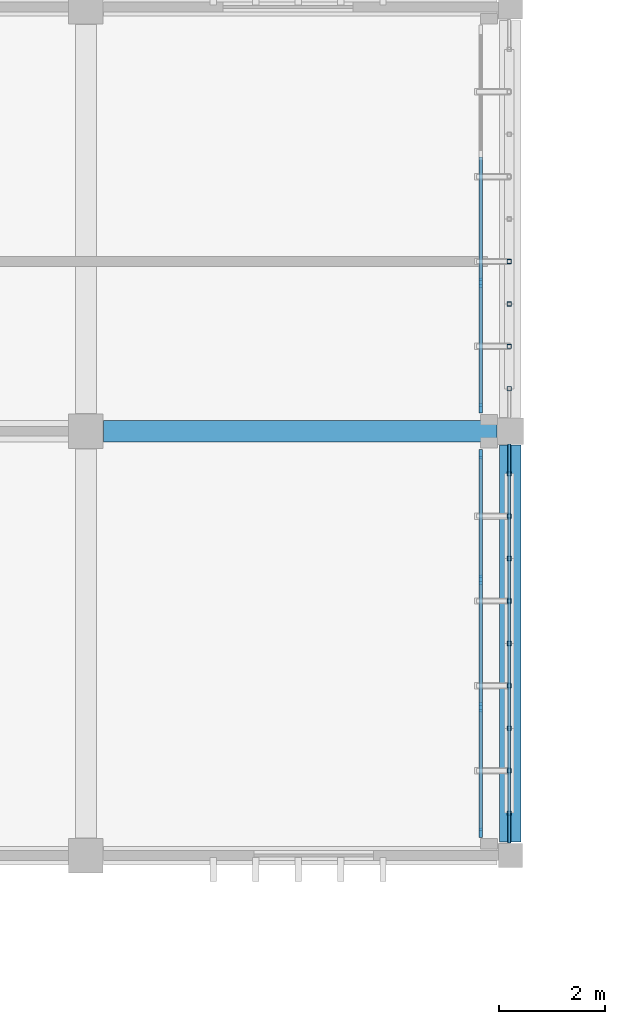
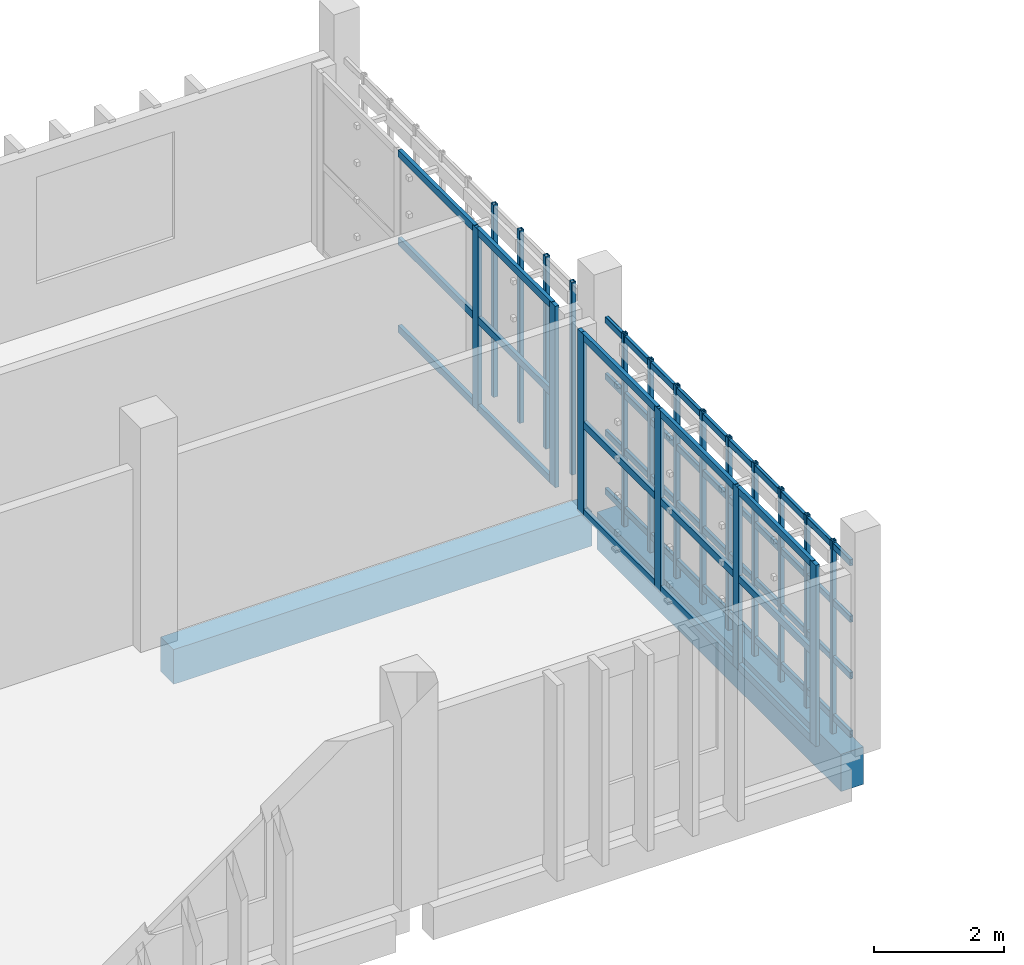
# One storey, part 36 of 63: 38 members, 2 beams, 2 elements without a shape of their own.
"""IFC4 building model written with IfcOpenShell, lengths in metres."""

from ifc_helpers import new_model, si_unit, direction, frame, origin, origin_2d, place, context, subcontext, project, spatial, rectangle, hollow_rectangle, extrude, material, layer, layer_set, material_profile, profile_set, type_object, element, aggregate, save


model = new_model("IFC4")

# Units and contexts
model_context = context("Model", 3, precision=1e-05, world=origin(), true_north=direction((0.0, 1.0)))
body_context = subcontext(model_context, "Body", "Model", "MODEL_VIEW")
ifc_project = project(units=[si_unit("LENGTHUNIT", "METRE"), si_unit("AREAUNIT", "SQUARE_METRE"), si_unit("VOLUMEUNIT", "CUBIC_METRE"), si_unit("PLANEANGLEUNIT", "RADIAN"), si_unit("MASSUNIT", "GRAM", prefix="KILO")], contexts=[model_context])

# Site, building, storey
site_placement = place(None, origin())
site = spatial("IfcSite", under=ifc_project, at=site_placement, CompositionType="ELEMENT")
building_placement = place(site_placement, origin())
building = spatial("IfcBuilding", under=site, at=building_placement, Name="Jelvoka-Kovrelna Polytechnic", CompositionType="ELEMENT")
storey_placement = place(building_placement, frame((0.0, 0.0, 18.0)))
storey = spatial("IfcBuildingStorey", under=building, at=storey_placement, Name="L05", CompositionType="ELEMENT", Elevation=18.0)

# Beams
ifc_material_1 = material(Name="Concrete C40/50", Category="concrete")
ifc_material_profile_1 = material_profile(ifc_material_1, rectangle(XDim=0.39990234375, YDim=0.64990234375, at=origin_2d()), Name="RC 400x650")
ifc_profile_set_1 = profile_set([ifc_material_profile_1], Name="Concrete C40/50")
beam_type_1 = type_object("IfcBeamType", Name="Beam_RC_400x650", PredefinedType="BEAM", material=ifc_profile_set_1)
beam_1_placement = place(storey_placement, frame((184.330078125, 64.0, -0.574951171875), z_axis=(1.0, 0.0, 0.0), x_axis=(0.0, 1.0, 0.0)))
element("IfcBeam", 1, at=beam_1_placement, inside=storey, type_object=beam_type_1, Name="L05 beam 1558", PredefinedType="BEAM", context=body_context, shape_type="SweptSolid", body=[
    extrude(rectangle(XDim=0.39990234375, YDim=0.64990234375, at=origin_2d()), origin(), (0.0, 0.0, 1.0), 7.4150390625),
])
ifc_material_2 = material(Name="Concrete C40/50", Category="concrete")
ifc_material_profile_2 = material_profile(ifc_material_2, rectangle(XDim=0.39990234375, YDim=0.699951171875, at=origin_2d()), Name="RC 400x700")
ifc_profile_set_2 = profile_set([ifc_material_profile_2], Name="Concrete C40/50")
beam_type_2 = type_object("IfcBeamType", Name="Beam_RC_400x700", PredefinedType="BEAM", material=ifc_profile_set_2)
beam_2_placement = place(storey_placement, frame((192.0, 56.2548828125, -0.60009765625), z_axis=(0.0, 1.0, 0.0), x_axis=(-1.0, 0.0, 0.0)))
element("IfcBeam", 2, at=beam_2_placement, inside=storey, type_object=beam_type_2, Name="L05 beam 1587", PredefinedType="BEAM", context=body_context, shape_type="SweptSolid", body=[
    extrude(rectangle(XDim=0.39990234375, YDim=0.699951171875, at=origin_2d()), origin(), (0.0, 0.0, 1.0), 7.490234375),
])

# Members
ifc_material_3 = material(Name="Structural steel S355J2H", Category="steel")
ifc_material_profile_3 = material_profile(ifc_material_3, hollow_rectangle(XDim=0.06005859375, YDim=0.1201171875, WallThickness=0.0048828125, InnerFilletRadius=0.0048828125, OuterFilletRadius=0.007568359375, at=origin_2d()), Name="120x60x5.0 RHS")
ifc_profile_set_3 = profile_set([ifc_material_profile_3], Name="Structural steel S355J2H")
member_type_1 = type_object("IfcMemberType", Name="Member_Strut_RHS120", PredefinedType="STRUT", material=ifc_profile_set_3)
for number, where, z_axis, x_axis, name in (
    (3, (191.97998046875, 56.239990234375, 0.080078125), (0.0, 1.0, 0.0), (-1.0, 0.0, 0.0), "L05 terracotta screen horizontal strut 0729"),
    (4, (191.97998046875, 56.239990234375, 1.17138671875), (0.0, 1.0, 0.0), (-1.0, 0.0, 0.0), "L05 terracotta screen horizontal strut 0730"),
    (5, (191.97998046875, 56.239990234375, 2.230712890625), (0.0, 1.0, 0.0), (-1.0, 0.0, 0.0), "L05 terracotta screen horizontal strut 0731"),
    (6, (191.97998046875, 56.239990234375, 3.2900390625), (0.0, 1.0, 0.0), (-1.0, 0.0, 0.0), "L05 terracotta screen horizontal strut 0732"),
):
    element("IfcMember", number, at=place(storey_placement, frame(where, z_axis=z_axis, x_axis=x_axis)), inside=storey, type_object=member_type_1, Name=name, PredefinedType="STRUT", context=body_context, shape_type="SweptSolid", body=[
        extrude(hollow_rectangle(XDim=0.06005859375, YDim=0.1201171875, WallThickness=0.0048828125, InnerFilletRadius=0.0048828125, OuterFilletRadius=0.007568359375, at=origin_2d()), origin(), (0.0, 0.0, 1.0), 7.52001953125),
    ])
ifc_material_4 = material(Name="Structural steel S355J2H", Category="steel")
ifc_material_profile_4 = material_profile(ifc_material_4, hollow_rectangle(XDim=0.080078125, YDim=0.080078125, WallThickness=0.0048828125, InnerFilletRadius=0.0048828125, OuterFilletRadius=0.007568359375, at=origin_2d()), Name="80x80x5.0 SHS")
ifc_profile_set_4 = profile_set([ifc_material_profile_4], Name="Structural steel S355J2H")
member_type_2 = type_object("IfcMemberType", Name="Member_Strut_SHS80", PredefinedType="STRUT", material=ifc_profile_set_4)
for number, where, z_axis, x_axis, name in (
    (7, (191.97998046875, 56.800048828125, -0.22998046875), (0.0, 0.0, 1.0), (1.0, 0.0, 0.0), "L05 terracotta lattice vertical rib 0733"),
    (8, (191.97998046875, 57.60009765625, -0.22998046875), (0.0, 0.0, 1.0), (1.0, 0.0, 0.0), "L05 terracotta lattice vertical rib 0734"),
    (9, (191.97998046875, 58.39990234375, -0.22998046875), (0.0, 0.0, 1.0), (1.0, 0.0, 0.0), "L05 terracotta lattice vertical rib 0735"),
    (10, (191.97998046875, 59.199951171875, -0.22998046875), (0.0, 0.0, 1.0), (1.0, 0.0, 0.0), "L05 terracotta lattice vertical rib 0736"),
    (11, (191.97998046875, 60.0, -0.22998046875), (0.0, 0.0, 1.0), (1.0, 0.0, 0.0), "L05 terracotta lattice vertical rib 0737"),
    (12, (191.97998046875, 60.800048828125, -0.22998046875), (0.0, 0.0, 1.0), (1.0, 0.0, 0.0), "L05 terracotta lattice vertical rib 0738"),
    (13, (191.97998046875, 61.60009765625, -0.22998046875), (0.0, 0.0, 1.0), (1.0, 0.0, 0.0), "L05 terracotta lattice vertical rib 0739"),
    (14, (191.97998046875, 62.39990234375, -0.22998046875), (0.0, 0.0, 1.0), (1.0, 0.0, 0.0), "L05 terracotta lattice vertical rib 0740"),
    (15, (191.97998046875, 63.199951171875, -0.22998046875), (0.0, 0.0, 1.0), (1.0, 0.0, 0.0), "L05 terracotta lattice vertical rib 0741"),
    (16, (191.97998046875, 64.800048828125, -0.22998046875), (0.0, 0.0, 1.0), (1.0, 0.0, 0.0), "L05 terracotta lattice vertical rib 0746"),
    (17, (191.97998046875, 65.60009765625, -0.22998046875), (0.0, 0.0, 1.0), (1.0, 0.0, 0.0), "L05 terracotta lattice vertical rib 0747"),
    (18, (191.97998046875, 66.39990234375, -0.22998046875), (0.0, 0.0, 1.0), (1.0, 0.0, 0.0), "L05 terracotta lattice vertical rib 0748"),
    (19, (191.97998046875, 67.199951171875, -0.22998046875), (0.0, 0.0, 1.0), (1.0, 0.0, 0.0), "L05 terracotta lattice vertical rib 0749"),
):
    element("IfcMember", number, at=place(storey_placement, frame(where, z_axis=z_axis, x_axis=x_axis)), inside=storey, type_object=member_type_2, Name=name, PredefinedType="STRUT", context=body_context, shape_type="SweptSolid", body=[
        extrude(hollow_rectangle(XDim=0.080078125, YDim=0.080078125, WallThickness=0.0048828125, InnerFilletRadius=0.0048828125, OuterFilletRadius=0.007568359375, at=origin_2d()), origin(), (0.0, 0.0, 1.0), 3.60986328125),
    ])

# Curtain wall, members
ifc_material_5 = material(Name="Anodised aluminium 6063-T6", Category="aluminium")
ifc_layer = layer(ifc_material_5, 0.179931640625)
ifc_layer_set = layer_set([ifc_layer], Name="Anodised aluminium 6063-T6")
curtain_wall_type = type_object("IfcCurtainWallType", Name="CW_Recessed_B", PredefinedType="NOTDEFINED", material=ifc_layer_set)
curtain_wall_1_placement = place(storey_placement, origin())
curtain_wall_1 = element("IfcCurtainWall", 20, at=curtain_wall_1_placement, inside=storey, type_object=curtain_wall_type, Name="L05 glazed curtain wall 089", PredefinedType="NOTDEFINED")
ifc_material_6 = material(Name="Anodised aluminium 6063-T6", Category="aluminium")
ifc_material_profile_5 = material_profile(ifc_material_6, rectangle(XDim=0.06494140625, YDim=0.179931640625, at=origin_2d()), Name="ALU 65x180")
ifc_profile_set_5 = profile_set([ifc_material_profile_5], Name="Anodised aluminium 6063-T6")
member_type_3 = type_object("IfcMemberType", Name="Mullion_M-02", PredefinedType="MULLION", material=ifc_profile_set_5)
member_1_placement = place(storey_placement, frame((191.43994140625, 63.5673828125, -0.02490234375), z_axis=(0.0, 0.0, 1.0), x_axis=(1.0, 0.0, 0.0)))
member_1 = element("IfcMember", 21, at=member_1_placement, type_object=member_type_3, Name="CW-02 mullion 1", PredefinedType="MULLION", context=body_context, shape_type="SweptSolid", body=[
    extrude(rectangle(XDim=0.06494140625, YDim=0.179931640625, at=origin_2d()), origin(), (0.0, 0.0, 1.0), 3.400146484375),
])
member_2_placement = place(storey_placement, frame((191.43994140625, 61.199951171875, -0.02490234375), z_axis=(0.0, 0.0, 1.0), x_axis=(1.0, 0.0, 0.0)))
member_2 = element("IfcMember", 22, at=member_2_placement, type_object=member_type_3, Name="CW-02 mullion 2", PredefinedType="MULLION", context=body_context, shape_type="SweptSolid", body=[
    extrude(rectangle(XDim=0.06494140625, YDim=0.179931640625, at=origin_2d()), origin(), (0.0, 0.0, 1.0), 3.400146484375),
])
member_3_placement = place(storey_placement, frame((191.43994140625, 58.800048828125, -0.02490234375), z_axis=(0.0, 0.0, 1.0), x_axis=(1.0, 0.0, 0.0)))
member_3 = element("IfcMember", 23, at=member_3_placement, type_object=member_type_3, Name="CW-02 mullion 3", PredefinedType="MULLION", context=body_context, shape_type="SweptSolid", body=[
    extrude(rectangle(XDim=0.06494140625, YDim=0.179931640625, at=origin_2d()), origin(), (0.0, 0.0, 1.0), 3.400146484375),
])
member_4_placement = place(storey_placement, frame((191.43994140625, 56.4326171875, -0.02490234375), z_axis=(0.0, 0.0, 1.0), x_axis=(1.0, 0.0, 0.0)))
member_4 = element("IfcMember", 24, at=member_4_placement, type_object=member_type_3, Name="CW-02 mullion 4", PredefinedType="MULLION", context=body_context, shape_type="SweptSolid", body=[
    extrude(rectangle(XDim=0.06494140625, YDim=0.179931640625, at=origin_2d()), origin(), (0.0, 0.0, 1.0), 3.400146484375),
])

curtain_wall_2_placement = place(storey_placement, origin())
curtain_wall_2 = element("IfcCurtainWall", 25, at=curtain_wall_2_placement, inside=storey, type_object=curtain_wall_type, Name="L05 glazed curtain wall 090", PredefinedType="NOTDEFINED")
member_5_placement = place(storey_placement, frame((191.43994140625, 66.800048828125, -0.02490234375), z_axis=(0.0, 0.0, 1.0), x_axis=(1.0, 0.0, 0.0)))
member_5 = element("IfcMember", 26, at=member_5_placement, type_object=member_type_3, Name="CW-02 mullion 3", PredefinedType="MULLION", context=body_context, shape_type="SweptSolid", body=[
    extrude(rectangle(XDim=0.06494140625, YDim=0.179931640625, at=origin_2d()), origin(), (0.0, 0.0, 1.0), 3.400146484375),
])
member_6_placement = place(storey_placement, frame((191.43994140625, 64.4326171875, -0.02490234375), z_axis=(0.0, 0.0, 1.0), x_axis=(1.0, 0.0, 0.0)))
member_6 = element("IfcMember", 27, at=member_6_placement, type_object=member_type_3, Name="CW-02 mullion 4", PredefinedType="MULLION", context=body_context, shape_type="SweptSolid", body=[
    extrude(rectangle(XDim=0.06494140625, YDim=0.179931640625, at=origin_2d()), origin(), (0.0, 0.0, 1.0), 3.400146484375),
])

# Member
ifc_material_7 = material(Name="Anodised aluminium 6063-T6", Category="aluminium")
ifc_material_profile_6 = material_profile(ifc_material_7, rectangle(XDim=0.06494140625, YDim=0.135009765625, at=origin_2d()), Name="ALU 65x135")
ifc_profile_set_6 = profile_set([ifc_material_profile_6], Name="Anodised aluminium 6063-T6")
member_type_4 = type_object("IfcMemberType", Name="Transom_T-02", PredefinedType="USERDEFINED", material=ifc_profile_set_6)
member_7_placement = place(storey_placement, frame((191.43994140625, 63.534912109375, 0.032470703125), z_axis=(0.0, -1.0, 0.0), x_axis=(1.0, 0.0, 0.0)))
member_7 = element("IfcMember", 28, at=member_7_placement, type_object=member_type_4, Name="CW-02 transom 1.1", ObjectType="TRANSOM", PredefinedType="USERDEFINED", context=body_context, shape_type="SweptSolid", body=[
    extrude(rectangle(XDim=0.06494140625, YDim=0.135009765625, at=origin_2d()), origin(), (0.0, 0.0, 1.0), 2.302490234375),
])

member_8_placement = place(storey_placement, frame((191.43994140625, 63.534912109375, 1.675048828125), z_axis=(0.0, -1.0, 0.0), x_axis=(1.0, 0.0, 0.0)))
member_8 = element("IfcMember", 29, at=member_8_placement, type_object=member_type_4, Name="CW-02 transom 1.2", ObjectType="TRANSOM", PredefinedType="USERDEFINED", context=body_context, shape_type="SweptSolid", body=[
    extrude(rectangle(XDim=0.06494140625, YDim=0.135009765625, at=origin_2d()), origin(), (0.0, 0.0, 1.0), 2.302490234375),
])

member_9_placement = place(storey_placement, frame((191.43994140625, 63.534912109375, 3.3173828125), z_axis=(0.0, -1.0, 0.0), x_axis=(1.0, 0.0, 0.0)))
member_9 = element("IfcMember", 30, at=member_9_placement, type_object=member_type_4, Name="CW-02 transom 1.3", ObjectType="TRANSOM", PredefinedType="USERDEFINED", context=body_context, shape_type="SweptSolid", body=[
    extrude(rectangle(XDim=0.06494140625, YDim=0.135009765625, at=origin_2d()), origin(), (0.0, 0.0, 1.0), 2.302490234375),
])

member_10_placement = place(storey_placement, frame((191.43994140625, 61.16748046875, 0.032470703125), z_axis=(0.0, -1.0, 0.0), x_axis=(1.0, 0.0, 0.0)))
member_10 = element("IfcMember", 31, at=member_10_placement, type_object=member_type_4, Name="CW-02 transom 2.1", ObjectType="TRANSOM", PredefinedType="USERDEFINED", context=body_context, shape_type="SweptSolid", body=[
    extrude(rectangle(XDim=0.06494140625, YDim=0.135009765625, at=origin_2d()), origin(), (0.0, 0.0, 1.0), 2.3349609375),
])

member_11_placement = place(storey_placement, frame((191.43994140625, 61.16748046875, 1.675048828125), z_axis=(0.0, -1.0, 0.0), x_axis=(1.0, 0.0, 0.0)))
member_11 = element("IfcMember", 32, at=member_11_placement, type_object=member_type_4, Name="CW-02 transom 2.2", ObjectType="TRANSOM", PredefinedType="USERDEFINED", context=body_context, shape_type="SweptSolid", body=[
    extrude(rectangle(XDim=0.06494140625, YDim=0.135009765625, at=origin_2d()), origin(), (0.0, 0.0, 1.0), 2.3349609375),
])

member_12_placement = place(storey_placement, frame((191.43994140625, 61.16748046875, 3.3173828125), z_axis=(0.0, -1.0, 0.0), x_axis=(1.0, 0.0, 0.0)))
member_12 = element("IfcMember", 33, at=member_12_placement, type_object=member_type_4, Name="CW-02 transom 2.3", ObjectType="TRANSOM", PredefinedType="USERDEFINED", context=body_context, shape_type="SweptSolid", body=[
    extrude(rectangle(XDim=0.06494140625, YDim=0.135009765625, at=origin_2d()), origin(), (0.0, 0.0, 1.0), 2.3349609375),
])

member_13_placement = place(storey_placement, frame((191.43994140625, 58.767578125, 0.032470703125), z_axis=(0.0, -1.0, 0.0), x_axis=(1.0, 0.0, 0.0)))
member_13 = element("IfcMember", 34, at=member_13_placement, type_object=member_type_4, Name="CW-02 transom 3.1", ObjectType="TRANSOM", PredefinedType="USERDEFINED", context=body_context, shape_type="SweptSolid", body=[
    extrude(rectangle(XDim=0.06494140625, YDim=0.135009765625, at=origin_2d()), origin(), (0.0, 0.0, 1.0), 2.302490234375),
])

member_14_placement = place(storey_placement, frame((191.43994140625, 58.767578125, 1.675048828125), z_axis=(0.0, -1.0, 0.0), x_axis=(1.0, 0.0, 0.0)))
member_14 = element("IfcMember", 35, at=member_14_placement, type_object=member_type_4, Name="CW-02 transom 3.2", ObjectType="TRANSOM", PredefinedType="USERDEFINED", context=body_context, shape_type="SweptSolid", body=[
    extrude(rectangle(XDim=0.06494140625, YDim=0.135009765625, at=origin_2d()), origin(), (0.0, 0.0, 1.0), 2.302490234375),
])

member_15_placement = place(storey_placement, frame((191.43994140625, 58.767578125, 3.3173828125), z_axis=(0.0, -1.0, 0.0), x_axis=(1.0, 0.0, 0.0)))
member_15 = element("IfcMember", 36, at=member_15_placement, type_object=member_type_4, Name="CW-02 transom 3.3", ObjectType="TRANSOM", PredefinedType="USERDEFINED", context=body_context, shape_type="SweptSolid", body=[
    extrude(rectangle(XDim=0.06494140625, YDim=0.135009765625, at=origin_2d()), origin(), (0.0, 0.0, 1.0), 2.302490234375),
])

aggregate(curtain_wall_1, [member_1, member_2, member_3, member_4, member_7, member_8, member_9, member_10, member_11, member_12, member_13, member_14, member_15])

member_16_placement = place(storey_placement, frame((191.43994140625, 69.16748046875, 0.032470703125), z_axis=(0.0, -1.0, 0.0), x_axis=(1.0, 0.0, 0.0)))
member_16 = element("IfcMember", 37, at=member_16_placement, type_object=member_type_4, Name="CW-02 transom 2.1", ObjectType="TRANSOM", PredefinedType="USERDEFINED", context=body_context, shape_type="SweptSolid", body=[
    extrude(rectangle(XDim=0.06494140625, YDim=0.135009765625, at=origin_2d()), origin(), (0.0, 0.0, 1.0), 2.3349609375),
])

member_17_placement = place(storey_placement, frame((191.43994140625, 69.16748046875, 1.675048828125), z_axis=(0.0, -1.0, 0.0), x_axis=(1.0, 0.0, 0.0)))
member_17 = element("IfcMember", 38, at=member_17_placement, type_object=member_type_4, Name="CW-02 transom 2.2", ObjectType="TRANSOM", PredefinedType="USERDEFINED", context=body_context, shape_type="SweptSolid", body=[
    extrude(rectangle(XDim=0.06494140625, YDim=0.135009765625, at=origin_2d()), origin(), (0.0, 0.0, 1.0), 2.3349609375),
])

member_18_placement = place(storey_placement, frame((191.43994140625, 69.16748046875, 3.3173828125), z_axis=(0.0, -1.0, 0.0), x_axis=(1.0, 0.0, 0.0)))
member_18 = element("IfcMember", 39, at=member_18_placement, type_object=member_type_4, Name="CW-02 transom 2.3", ObjectType="TRANSOM", PredefinedType="USERDEFINED", context=body_context, shape_type="SweptSolid", body=[
    extrude(rectangle(XDim=0.06494140625, YDim=0.135009765625, at=origin_2d()), origin(), (0.0, 0.0, 1.0), 2.3349609375),
])

member_19_placement = place(storey_placement, frame((191.43994140625, 66.767578125, 0.032470703125), z_axis=(0.0, -1.0, 0.0), x_axis=(1.0, 0.0, 0.0)))
member_19 = element("IfcMember", 40, at=member_19_placement, type_object=member_type_4, Name="CW-02 transom 3.1", ObjectType="TRANSOM", PredefinedType="USERDEFINED", context=body_context, shape_type="SweptSolid", body=[
    extrude(rectangle(XDim=0.06494140625, YDim=0.135009765625, at=origin_2d()), origin(), (0.0, 0.0, 1.0), 2.302490234375),
])

member_20_placement = place(storey_placement, frame((191.43994140625, 66.767578125, 1.675048828125), z_axis=(0.0, -1.0, 0.0), x_axis=(1.0, 0.0, 0.0)))
member_20 = element("IfcMember", 41, at=member_20_placement, type_object=member_type_4, Name="CW-02 transom 3.2", ObjectType="TRANSOM", PredefinedType="USERDEFINED", context=body_context, shape_type="SweptSolid", body=[
    extrude(rectangle(XDim=0.06494140625, YDim=0.135009765625, at=origin_2d()), origin(), (0.0, 0.0, 1.0), 2.302490234375),
])

member_21_placement = place(storey_placement, frame((191.43994140625, 66.767578125, 3.3173828125), z_axis=(0.0, -1.0, 0.0), x_axis=(1.0, 0.0, 0.0)))
member_21 = element("IfcMember", 42, at=member_21_placement, type_object=member_type_4, Name="CW-02 transom 3.3", ObjectType="TRANSOM", PredefinedType="USERDEFINED", context=body_context, shape_type="SweptSolid", body=[
    extrude(rectangle(XDim=0.06494140625, YDim=0.135009765625, at=origin_2d()), origin(), (0.0, 0.0, 1.0), 2.302490234375),
])

aggregate(curtain_wall_2, [member_5, member_6, member_16, member_17, member_18, member_19, member_20, member_21])

save(model, "model.ifc")
